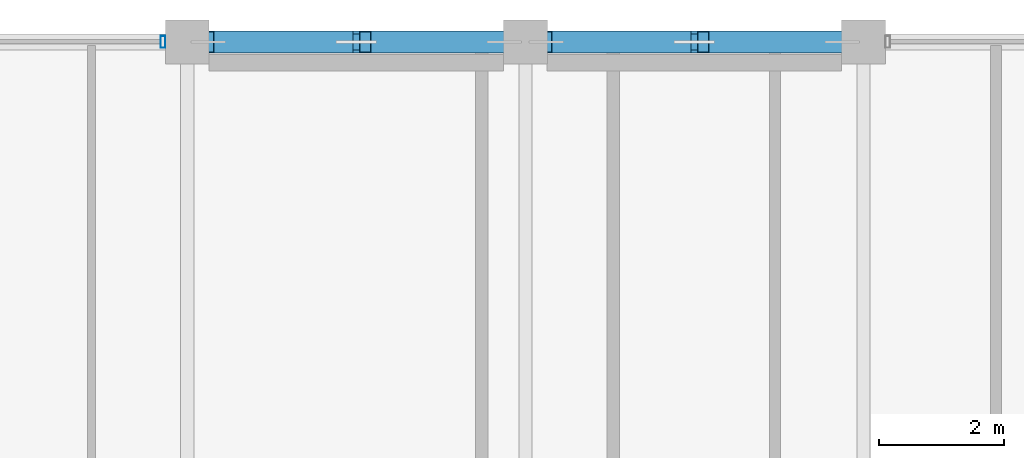
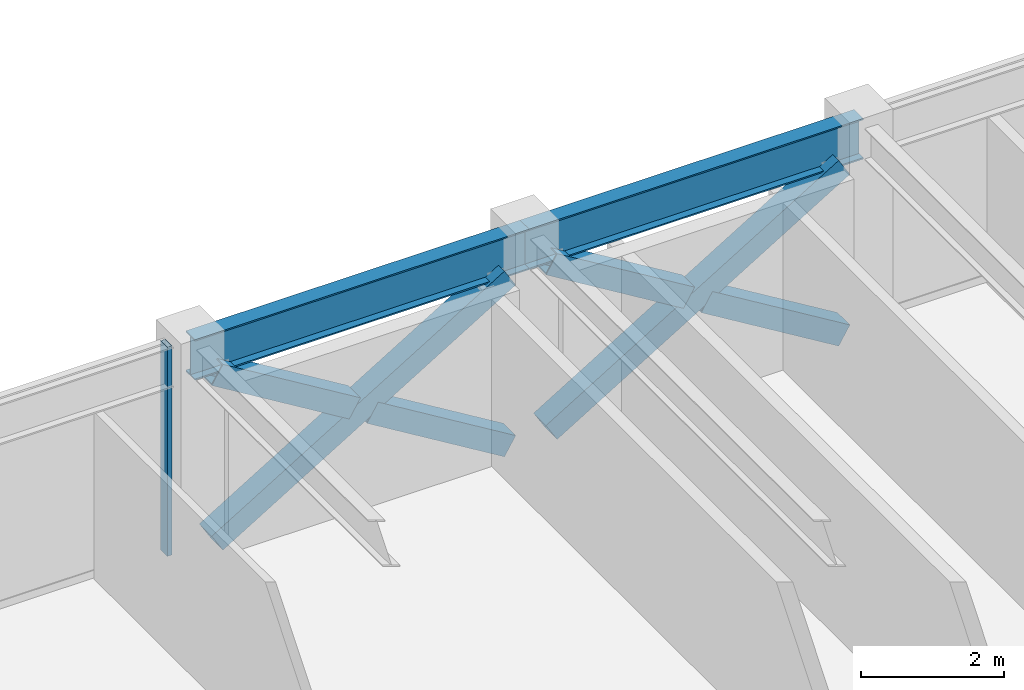
# One storey, part 19 of 31: 7 members, 2 beams, 1 element without a shape of its own.
"""IFC4 building model written with IfcOpenShell, lengths in metres."""

import ifcopenshell
import ifcopenshell.guid

model = None  # the IFC model being written
_history = None  # IfcOwnerHistory: only IFC2X3 demands one
_inside = {}  # id of a spatial element -> (the spatial element, [elements in it])
_under = {}  # id of a project, library or spatial element -> (it, [spatial elements below it])
_declared = {}  # id of a project -> (the project, [libraries it declares])
_typed = {}  # id of a type object -> (the type object, [elements of that type])
_made_of = {}  # id of a material, layer set ... -> (it, [elements and type objects made of it])


def new_model(schema):
    """Start an empty IFC model of exactly this schema.

    Asked for "IFC4X3", IfcOpenShell would pick the latest addendum, in which some entities
    have other attributes; the version numbers below select the first issue.
    IFC2X3 requires an IfcOwnerHistory on every rooted entity: one is made here for all.
    """
    global model, _history
    if schema == "IFC4X3":
        model = ifcopenshell.file(schema_version=(4, 3, 0, 0))
    else:
        model = ifcopenshell.file(schema=schema)
    _inside.clear()
    _under.clear()
    _declared.clear()
    _typed.clear()
    _made_of.clear()
    _history = None
    if model.schema == "IFC2X3":
        org = make("IfcOrganization", Name="unknown")
        user = make(
            "IfcPersonAndOrganization",
            ThePerson=make("IfcPerson", FamilyName="unknown"),
            TheOrganization=org,
        )
        app = make(
            "IfcApplication",
            ApplicationDeveloper=org,
            Version="unknown",
            ApplicationFullName="unknown",
            ApplicationIdentifier="unknown",
        )
        _history = make(
            "IfcOwnerHistory",
            OwningUser=user,
            OwningApplication=app,
            ChangeAction="ADDED",
            CreationDate=0,
        )
    return model


def make(cls, **values):
    """One entity of the class cls with the attributes given. An attribute that is None is left unset."""
    return model.create_entity(
        cls, **{name: value for name, value in values.items() if value is not None}
    )


def rooted(cls, **values):
    """An entity with a GlobalId (a new one), such as an element, a storey or a relation."""
    return make(cls, GlobalId=ifcopenshell.guid.new(), OwnerHistory=_history, **values)


def si_unit(unit_type, name, prefix=None):
    """IfcSIUnit, for example si_unit("LENGTHUNIT", "METRE", prefix="MILLI")."""
    return make("IfcSIUnit", UnitType=unit_type, Prefix=prefix, Name=name)


def assignment(units):
    """IfcUnitAssignment: the units of a project."""
    return None if units is None else make("IfcUnitAssignment", Units=units)


def point(xyz):
    """IfcCartesianPoint."""
    return None if xyz is None else make("IfcCartesianPoint", Coordinates=xyz)


def direction(xyz):
    """IfcDirection."""
    return None if xyz is None else make("IfcDirection", DirectionRatios=xyz)


def frame(location, z_axis=None, x_axis=None):
    """IfcAxis2Placement3D, a coordinate frame: its origin and axes. An axis left out is left unset."""
    return make(
        "IfcAxis2Placement3D",
        Location=point(location),
        Axis=direction(z_axis),
        RefDirection=direction(x_axis),
    )


def frame_2d(location, x_axis=None):
    """IfcAxis2Placement2D, a coordinate frame in the plane: its origin and x axis."""
    return make(
        "IfcAxis2Placement2D", Location=point(location), RefDirection=direction(x_axis)
    )


def origin():
    """The frame at (0, 0, 0) with its axes left unset."""
    return frame((0.0, 0.0, 0.0))


def origin_2d():
    """The frame at (0, 0) in the plane with its x axis left unset."""
    return frame_2d((0.0, 0.0))


def place(relative_to, where):
    """IfcLocalPlacement: puts the frame where relative to a parent placement (None: the world)."""
    return make(
        "IfcLocalPlacement", PlacementRelTo=relative_to, RelativePlacement=where
    )


def context(
    kind, dimensions, precision=None, world=None, true_north=None, identifier=None
):
    """IfcGeometricRepresentationContext, for example the 3D "Model" context."""
    return make(
        "IfcGeometricRepresentationContext",
        ContextIdentifier=identifier,
        ContextType=kind,
        CoordinateSpaceDimension=dimensions,
        Precision=precision,
        WorldCoordinateSystem=world,
        TrueNorth=true_north,
    )


def subcontext(parent, identifier, kind, view, scale=None):
    """IfcGeometricRepresentationSubContext, for example "Body" below "Model"."""
    return make(
        "IfcGeometricRepresentationSubContext",
        ContextIdentifier=identifier,
        ContextType=kind,
        ParentContext=parent,
        TargetScale=scale,
        TargetView=view,
    )


def project(units=None, contexts=None):
    """IfcProject with its units and contexts."""
    return rooted(
        "IfcProject",
        Name="project",
        RepresentationContexts=contexts,
        UnitsInContext=assignment(units),
    )


def spatial(cls, under=None, at=None, **own):
    """A site, building, storey or space (cls), placed at a placement, below another one or the project."""
    s = rooted(cls, ObjectPlacement=at, **own)
    if under is not None:
        _under.setdefault(under.id(), (under, []))[1].append(s)
    return s


def profile(cls, at=None, kind="AREA", **sizes):
    """A parametric profile (cls). Its sizes go by their IFC names, for example OverallWidth=200.0."""
    return make(cls, ProfileType=kind, Position=at, **sizes)


def hollow_rectangle(**sizes):
    """IfcRectangleHollowProfileDef."""
    return profile("IfcRectangleHollowProfileDef", **sizes)


def i_section(**sizes):
    """IfcIShapeProfileDef."""
    return profile("IfcIShapeProfileDef", **sizes)


def extrude(swept, where, along, depth):
    """IfcExtrudedAreaSolid: the profile swept, set in the frame where, extruded along a direction by depth."""
    return make(
        "IfcExtrudedAreaSolid",
        SweptArea=swept,
        Position=where,
        ExtrudedDirection=direction(along),
        Depth=depth,
    )


def shape(context_of_items, identifier, shape_type, items):
    """IfcShapeRepresentation: the items that make up one representation, for example the "Body"."""
    return make(
        "IfcShapeRepresentation",
        ContextOfItems=context_of_items,
        RepresentationIdentifier=identifier,
        RepresentationType=shape_type,
        Items=items,
    )


def material(Name=None, Category=None):
    """IfcMaterial."""
    return make("IfcMaterial", Name=Name, Category=Category)


def layer(
    of_material, thickness, ventilated=None, Name=None, Category=None, Priority=None
):
    """IfcMaterialLayer: one layer of a wall or slab, of a material (None: an air gap)."""
    return make(
        "IfcMaterialLayer",
        Material=of_material,
        LayerThickness=thickness,
        IsVentilated=ventilated,
        Name=Name,
        Category=Category,
        Priority=Priority,
    )


def layer_set(layers, Name=None):
    """IfcMaterialLayerSet."""
    return make("IfcMaterialLayerSet", MaterialLayers=layers, LayerSetName=Name)


def material_profile(
    of_material, cross_section, Name=None, Category=None, Priority=None
):
    """IfcMaterialProfile: a cross section and its material."""
    return make(
        "IfcMaterialProfile",
        Name=Name,
        Material=of_material,
        Profile=cross_section,
        Priority=Priority,
        Category=Category,
    )


def profile_set(profiles, Name=None, composite=None):
    """IfcMaterialProfileSet."""
    return make(
        "IfcMaterialProfileSet",
        Name=Name,
        MaterialProfiles=profiles,
        CompositeProfile=composite,
    )


def made_of(thing, what):
    """Note that an element or type object is made of a material, layer set ...; save() writes the relation."""
    if what is not None:
        _made_of.setdefault(what.id(), (what, []))[1].append(thing)
    return thing


def type_object(cls, material=None, **own):
    """A type object (cls), such as IfcWallType, which elements share."""
    return made_of(rooted(cls, **own), material)


def element(
    cls,
    number,
    at=None,
    inside=None,
    cuts=None,
    type_object=None,
    material=None,
    context=None,
    identifier="Body",
    shape_type=None,
    held_by="IfcProductDefinitionShape",
    body=None,
    shapes=None,
    **own,
):
    """One element of the class cls, such as IfcWall. Its Tag is "e" and its number.

    at: its placement. inside: the storey or other place that contains it. cuts: it is an
    opening in that element (IfcRelVoidsElement). A single representation is given by context,
    identifier, shape_type and body (its items); several are given by shapes. held_by: the class
    of the entity that holds the representations. save() writes the other relations.
    """
    e = rooted(cls, Tag="e%d" % number, ObjectPlacement=at, **own)
    if body is not None:
        shapes = [shape(context, identifier, shape_type, body)]
    if shapes is not None:
        e.Representation = make(held_by, Representations=shapes)
    if inside is not None:
        _inside.setdefault(inside.id(), (inside, []))[1].append(e)
    if cuts is not None:
        rooted(
            "IfcRelVoidsElement", RelatingBuildingElement=cuts, RelatedOpeningElement=e
        )
    if type_object is not None:
        _typed.setdefault(type_object.id(), (type_object, []))[1].append(e)
    return made_of(e, material)


def aggregate(whole, parts):
    """IfcRelAggregates: a whole, such as a stair, and the parts it consists of."""
    return rooted("IfcRelAggregates", RelatingObject=whole, RelatedObjects=parts)


def save(model, path):
    """Write the relations noted so far, then the file.

    IfcRelAggregates (storeys below a building ...), IfcRelContainedInSpatialStructure (elements
    in a storey), IfcRelDefinesByType, IfcRelAssociatesMaterial and IfcRelDeclares: one each for
    every whole, place, type object, material and project.
    """
    for whole, parts in _under.values():
        aggregate(whole, parts)
    for where, things in _inside.values():
        rooted(
            "IfcRelContainedInSpatialStructure",
            RelatedElements=things,
            RelatingStructure=where,
        )
    for kind, things in _typed.values():
        rooted("IfcRelDefinesByType", RelatedObjects=things, RelatingType=kind)
    for what, things in _made_of.values():
        rooted("IfcRelAssociatesMaterial", RelatedObjects=things, RelatingMaterial=what)
    for by, libraries in _declared.values():
        rooted("IfcRelDeclares", RelatingContext=by, RelatedDefinitions=libraries)
    model.write(path)


model = new_model("IFC4")

# Units and contexts
model_context = context("Model", 3, precision=1e-05, world=origin(), true_north=direction((0.0, 1.0)))
body_context = subcontext(model_context, "Body", "Model", "MODEL_VIEW")
ifc_project = project(units=[si_unit("LENGTHUNIT", "METRE"), si_unit("AREAUNIT", "SQUARE_METRE"), si_unit("VOLUMEUNIT", "CUBIC_METRE"), si_unit("PLANEANGLEUNIT", "RADIAN"), si_unit("MASSUNIT", "GRAM", prefix="KILO")], contexts=[model_context])

# Site, building, storey
site_placement = place(None, origin())
site = spatial("IfcSite", under=ifc_project, at=site_placement, CompositionType="ELEMENT")
building_placement = place(site_placement, origin())
building = spatial("IfcBuilding", under=site, at=building_placement, Name="Surkhivell Harbour Commons", CompositionType="ELEMENT")
storey_placement = place(building_placement, frame((0.0, 0.0, 330.0)))
storey = spatial("IfcBuildingStorey", under=building, at=storey_placement, Name="L86", CompositionType="ELEMENT", Elevation=330.0)

# Beams
ifc_material_1 = material(Name="Steel S355", Category="steel")
ifc_material_profile_1 = material_profile(ifc_material_1, i_section(OverallWidth=0.256103515625, OverallDepth=0.693115234375, WebThickness=0.014404296875, FlangeThickness=0.023681640625, at=origin_2d()), Name="UB686x254x170")
ifc_profile_set_1 = profile_set([ifc_material_profile_1], Name="Steel S355")
beam_type = type_object("IfcBeamType", Name="BM-SPN-686", PredefinedType="SPANDREL", material=ifc_profile_set_1)
for number, where, z_axis, x_axis, name in (
    (1, (-5.39990234375, 25.89990234375, 3.223388671875), (1.0, 0.0, 0.0), (0.0, 1.0, 0.0), "L86 Tube Spandrel (-5.4,25.9)"),
    (2, (0.0, 25.89990234375, 3.223388671875), (1.0, 0.0, 0.0), (0.0, 1.0, 0.0), "L86 Tube Spandrel (-0.0,25.9)"),
):
    element("IfcBeam", number, at=place(storey_placement, frame(where, z_axis=z_axis, x_axis=x_axis)), inside=storey, type_object=beam_type, Name=name, PredefinedType="SPANDREL", context=body_context, shape_type="SweptSolid", body=[
        extrude(i_section(OverallWidth=0.256103515625, OverallDepth=0.693115234375, WebThickness=0.014404296875, FlangeThickness=0.023681640625, at=origin_2d()), origin(), (0.0, 0.0, 1.0), 5.39990234375),
    ])

# Curtain wall, member
ifc_material_2 = material(Name="Anodised pale-metal aluminium and insulated glazing", Category="aluminium")
ifc_layer = layer(ifc_material_2, 0.175048828125)
ifc_layer_set = layer_set([ifc_layer], Name="Anodised pale-metal aluminium and insulated glazing")
curtain_wall_type = type_object("IfcCurtainWallType", Name="CW-SYS-Z4", PredefinedType="NOTDEFINED", material=ifc_layer_set)
curtain_wall_placement = place(storey_placement, origin())
curtain_wall = element("IfcCurtainWall", 3, at=curtain_wall_placement, inside=storey, type_object=curtain_wall_type, Name="L86 Curtain Wall CW-L86-E07S2", PredefinedType="NOTDEFINED")
ifc_material_3 = material(Name="Anodised pale-metal aluminium alloy 6063-T6", Category="aluminium")
ifc_material_profile_2 = material_profile(ifc_material_3, hollow_rectangle(XDim=0.074951171875, YDim=0.18994140625, WallThickness=0.00390625, at=origin_2d()), Name="ALU-MULL-75x190")
ifc_profile_set_2 = profile_set([ifc_material_profile_2], Name="Anodised pale-metal aluminium alloy 6063-T6")
member_type_1 = type_object("IfcMemberType", Name="CWM-190", PredefinedType="MULLION", material=ifc_profile_set_2)
member_1_placement = place(storey_placement, frame((-5.78955078125, 25.89990234375, 0.0), z_axis=(0.0, 0.0, 1.0), x_axis=(-1.0, 0.0, 0.0)))
member_1 = element("IfcMember", 4, at=member_1_placement, type_object=member_type_1, Name="CW-Z4 mullion 1", PredefinedType="MULLION", context=body_context, shape_type="SweptSolid", body=[
    extrude(hollow_rectangle(XDim=0.074951171875, YDim=0.18994140625, WallThickness=0.00390625, at=origin_2d()), origin(), (0.0, 0.0, 1.0), 3.570068359375),
])
aggregate(curtain_wall, [member_1])

# Members
ifc_material_profile_3 = material_profile(ifc_material_1, hollow_rectangle(XDim=0.35009765625, YDim=0.35009765625, WallThickness=0.01611328125, at=origin_2d()), Name="SHS350x350x16")
ifc_profile_set_3 = profile_set([ifc_material_profile_3], Name="Steel S355")
member_type_2 = type_object("IfcMemberType", Name="MEM-BRC-SHS350", PredefinedType="BRACE", material=ifc_profile_set_3)
member_2_placement = place(storey_placement, frame((-5.06494140625, 25.89990234375, 0.008056640625), z_axis=(0.854685454322, 0.0, 0.519146197299), x_axis=(0.0, 1.0, 0.0)))
element("IfcMember", 5, at=member_2_placement, inside=storey, type_object=member_type_2, Name="L86 Perimeter Mega-Brace MB- 01", PredefinedType="BRACE", context=body_context, shape_type="SweptSolid", body=[
    extrude(hollow_rectangle(XDim=0.35009765625, YDim=0.35009765625, WallThickness=0.01611328125, at=origin_2d()), origin(), (0.0, 0.0, 1.0), 5.5341796875),
])
for number, where, z_axis, x_axis, name in (
    (6, (-0.3349609375, 25.89990234375, 0.008056640625), (-0.854678858595, 0.0, 0.51915705588), (0.0, -1.0, 0.0), "L86 Perimeter Mega-Brace MB- 02"),
    (7, (-2.843505859375, 25.89990234375, 1.53173828125), (-0.854678858595, 0.0, 0.51915705588), (0.0, -1.0, 0.0), "L86 Perimeter Mega-Brace MB- 03"),
):
    element("IfcMember", number, at=place(storey_placement, frame(where, z_axis=z_axis, x_axis=x_axis)), inside=storey, type_object=member_type_2, Name=name, PredefinedType="BRACE", context=body_context, shape_type="SweptSolid", body=[
        extrude(hollow_rectangle(XDim=0.35009765625, YDim=0.35009765625, WallThickness=0.01611328125, at=origin_2d()), origin(), (0.0, 0.0, 1.0), 2.59912109375),
    ])
member_3_placement = place(storey_placement, frame((0.3349609375, 25.89990234375, 0.008056640625), z_axis=(0.854685454322, 0.0, 0.519146197299), x_axis=(0.0, 1.0, 0.0)))
element("IfcMember", 8, at=member_3_placement, inside=storey, type_object=member_type_2, Name="L86 Perimeter Mega-Brace MB- 04", PredefinedType="BRACE", context=body_context, shape_type="SweptSolid", body=[
    extrude(hollow_rectangle(XDim=0.35009765625, YDim=0.35009765625, WallThickness=0.01611328125, at=origin_2d()), origin(), (0.0, 0.0, 1.0), 5.5341796875),
])
for number, where, z_axis, x_axis, name in (
    (9, (5.06494140625, 25.89990234375, 0.008056640625), (-0.854678858595, 0.0, 0.51915705588), (0.0, -1.0, 0.0), "L86 Perimeter Mega-Brace MB- 05"),
    (10, (2.556396484375, 25.89990234375, 1.53173828125), (-0.854678858595, 0.0, 0.51915705588), (0.0, -1.0, 0.0), "L86 Perimeter Mega-Brace MB- 06"),
):
    element("IfcMember", number, at=place(storey_placement, frame(where, z_axis=z_axis, x_axis=x_axis)), inside=storey, type_object=member_type_2, Name=name, PredefinedType="BRACE", context=body_context, shape_type="SweptSolid", body=[
        extrude(hollow_rectangle(XDim=0.35009765625, YDim=0.35009765625, WallThickness=0.01611328125, at=origin_2d()), origin(), (0.0, 0.0, 1.0), 2.59912109375),
    ])

save(model, "model.ifc")
